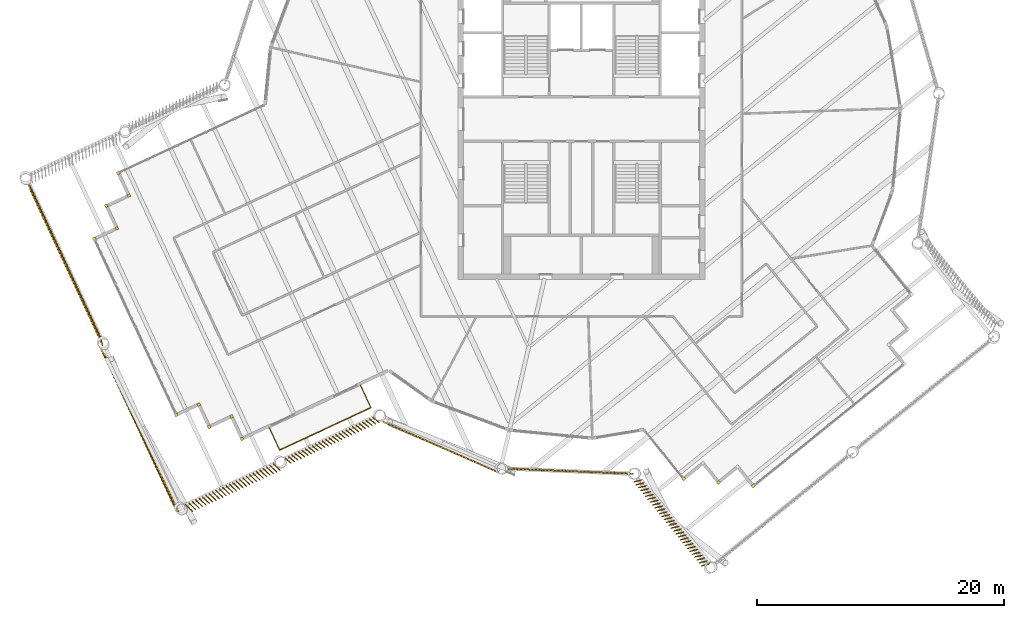
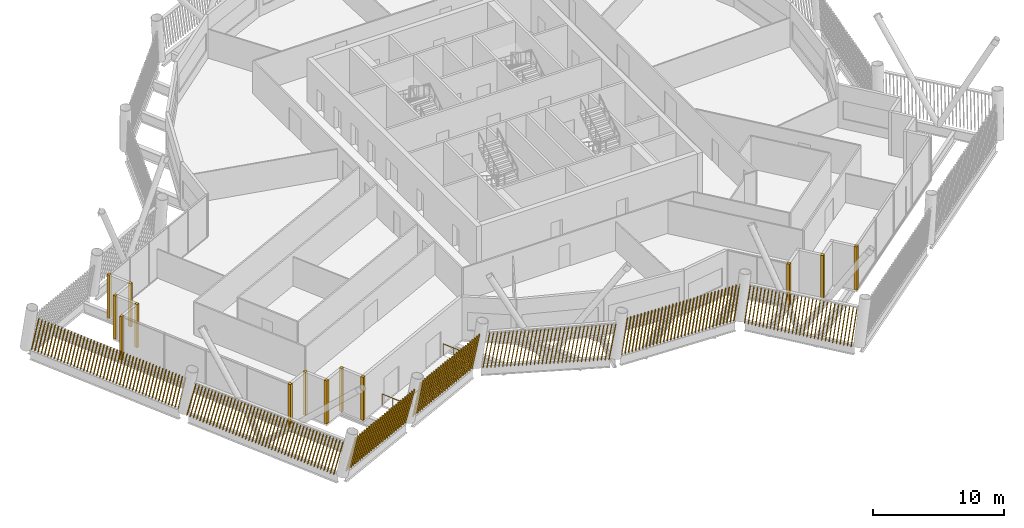
# One storey, part 32 of 36: 20 shading devices, 1 railing.
"""IFC4 building model written with IfcOpenShell, lengths in metres."""

from ifc_helpers import new_model, si_unit, direction, frame, frame_2d, origin, origin_2d, place, context, subcontext, project, spatial, rectangle, circle, composite_profile, extrude, material, type_object, element, save


model = new_model("IFC4")

# Units and contexts
model_context = context("Model", 3, precision=1e-05, world=origin(), true_north=direction((0.0, 1.0)))
body_context = subcontext(model_context, "Body", "Model", "MODEL_VIEW")
ifc_project = project(units=[si_unit("LENGTHUNIT", "METRE"), si_unit("AREAUNIT", "SQUARE_METRE"), si_unit("VOLUMEUNIT", "CUBIC_METRE"), si_unit("PLANEANGLEUNIT", "RADIAN"), si_unit("MASSUNIT", "GRAM", prefix="KILO")], contexts=[model_context])

# Site, building, storey
site_placement = place(None, origin())
site = spatial("IfcSite", under=ifc_project, at=site_placement, CompositionType="ELEMENT")
building_placement = place(site_placement, origin())
building = spatial("IfcBuilding", under=site, at=building_placement, Name="Tarsis Ring Headquarters", CompositionType="ELEMENT")
storey_placement = place(building_placement, frame((0.0, 0.0, 386.0)))
storey = spatial("IfcBuildingStorey", under=building, at=storey_placement, Name="L91", CompositionType="ELEMENT", Elevation=386.0)

# Railing
ifc_material_1 = material(Name="Stainless steel guard", Category="steel")
railing_type = type_object("IfcRailingType", Name="Balcony balustrade with mesh infill 1100", PredefinedType="BALUSTRADE", material=ifc_material_1)
railing_placement = place(storey_placement, frame((-25.307373046875, -25.015625, 0.0)))
element("IfcRailing", 1, at=railing_placement, inside=storey, type_object=railing_type, Name="Balcony balustrade L91-01", PredefinedType="BALUSTRADE", context=body_context, shape_type="SweptSolid", body=[
    extrude(circle(Radius=0.030029296875, at=origin_2d()), frame((0.0, 0.0, 1.070068359375), z_axis=(0.421989795, -0.906600580695, 0.0), x_axis=(0.906600580695, 0.421989795, 0.0)), (0.0, 0.0, 1.0), 2.0),
    extrude(circle(Radius=0.030029296875, at=origin_2d()), frame((0.843994140625, -1.813232421875, 1.070068359375), z_axis=(0.906600191345, 0.421990631475, 0.0), x_axis=(-0.421990631475, 0.906600191345, 0.0)), (0.0, 0.0, 1.0), 8.171875),
    extrude(circle(Radius=0.030029296875, at=origin_2d()), frame((8.252685546875, 1.63525390625, 1.070068359375), z_axis=(-0.422036499999, 0.906578839743, 0.0), x_axis=(-0.906578839743, -0.422036499999, 0.0)), (0.0, 0.0, 1.0), 1.999755859375),
    extrude(circle(Radius=0.02490234375, at=origin_2d()), origin(), (0.0, 0.0, 1.0), 1.0400390625),
    extrude(circle(Radius=0.02490234375, at=origin_2d()), frame((0.421875, -0.90673828125, 0.0)), (0.0, 0.0, 1.0), 1.0400390625),
    extrude(circle(Radius=0.02490234375, at=origin_2d()), frame((0.843994140625, -1.813232421875, 0.0)), (0.0, 0.0, 1.0), 1.0400390625),
    extrude(circle(Radius=0.02490234375, at=origin_2d()), frame((1.90234375, -1.320556640625, 0.0)), (0.0, 0.0, 1.0), 1.0400390625),
    extrude(circle(Radius=0.02490234375, at=origin_2d()), frame((2.960693359375, -0.827880859375, 0.0)), (0.0, 0.0, 1.0), 1.0400390625),
    extrude(circle(Radius=0.02490234375, at=origin_2d()), frame((4.01904296875, -0.335205078125, 0.0)), (0.0, 0.0, 1.0), 1.0400390625),
    extrude(circle(Radius=0.02490234375, at=origin_2d()), frame((5.07763671875, 0.1572265625, 0.0)), (0.0, 0.0, 1.0), 1.0400390625),
    extrude(circle(Radius=0.02490234375, at=origin_2d()), frame((6.135986328125, 0.64990234375, 0.0)), (0.0, 0.0, 1.0), 1.0400390625),
    extrude(circle(Radius=0.02490234375, at=origin_2d()), frame((7.1943359375, 1.142578125, 0.0)), (0.0, 0.0, 1.0), 1.0400390625),
    extrude(circle(Radius=0.02490234375, at=origin_2d()), frame((8.252685546875, 1.63525390625, 0.0)), (0.0, 0.0, 1.0), 1.0400390625),
    extrude(circle(Radius=0.02490234375, at=origin_2d()), frame((7.83056640625, 2.541748046875, 0.0)), (0.0, 0.0, 1.0), 1.0400390625),
    extrude(circle(Radius=0.02490234375, at=origin_2d()), frame((7.40869140625, 3.4482421875, 0.0)), (0.0, 0.0, 1.0), 1.0400390625),
])

# Shading devices
ifc_material_2 = material(Name="Terracotta baguette", Category="masonry")
shading_device_type_1 = type_object("IfcShadingDeviceType", Name="Terracotta baguette screen", PredefinedType="USERDEFINED", material=ifc_material_2)
shading_device_1_placement = place(storey_placement, frame((-6.0546875, -28.320068359375, 0.0), z_axis=(0.0, 0.0, 1.0), x_axis=(0.999150530918, -0.041074328545, 0.0)))
element("IfcShadingDevice", 2, at=shading_device_1_placement, inside=storey, type_object=shading_device_type_1, Name="Baguette screen L91-00", ObjectType="Terracotta baguette screen", PredefinedType="USERDEFINED", context=body_context, shape_type="SweptSolid", body=[
    extrude(composite_profile([rectangle(XDim=0.06005859375, YDim=0.1201171875, at=frame_2d((0.030029296875, 0.0))), rectangle(XDim=0.06005859375, YDim=0.1201171875, at=frame_2d((0.33349609375, 0.0))), rectangle(XDim=0.06005859375, YDim=0.1201171875, at=frame_2d((0.636962890625, 0.0))), rectangle(XDim=0.06005859375, YDim=0.1201171875, at=frame_2d((0.9404296875, 0.0))), rectangle(XDim=0.06005859375, YDim=0.1201171875, at=frame_2d((1.243896484375, 0.0))), rectangle(XDim=0.06005859375, YDim=0.1201171875, at=frame_2d((1.54736328125, 0.0))), rectangle(XDim=0.06005859375, YDim=0.1201171875, at=frame_2d((1.85107421875, 0.0))), rectangle(XDim=0.06005859375, YDim=0.1201171875, at=frame_2d((2.154541015625, 0.0))), rectangle(XDim=0.06005859375, YDim=0.1201171875, at=frame_2d((2.4580078125, 0.0))), rectangle(XDim=0.06005859375, YDim=0.1201171875, at=frame_2d((2.761474609375, 0.0))), rectangle(XDim=0.06005859375, YDim=0.1201171875, at=frame_2d((3.06494140625, 0.0))), rectangle(XDim=0.06005859375, YDim=0.1201171875, at=frame_2d((3.368408203125, 0.0))), rectangle(XDim=0.06005859375, YDim=0.1201171875, at=frame_2d((3.671875, 0.0))), rectangle(XDim=0.06005859375, YDim=0.1201171875, at=frame_2d((3.975341796875, 0.0))), rectangle(XDim=0.06005859375, YDim=0.1201171875, at=frame_2d((4.27880859375, 0.0))), rectangle(XDim=0.06005859375, YDim=0.1201171875, at=frame_2d((4.582275390625, 0.0))), rectangle(XDim=0.06005859375, YDim=0.1201171875, at=frame_2d((4.8857421875, 0.0))), rectangle(XDim=0.06005859375, YDim=0.1201171875, at=frame_2d((5.189453125, 0.0))), rectangle(XDim=0.06005859375, YDim=0.1201171875, at=frame_2d((5.492919921875, 0.0))), rectangle(XDim=0.06005859375, YDim=0.1201171875, at=frame_2d((5.79638671875, 0.0))), rectangle(XDim=0.06005859375, YDim=0.1201171875, at=frame_2d((6.099853515625, 0.0))), rectangle(XDim=0.06005859375, YDim=0.1201171875, at=frame_2d((6.4033203125, 0.0))), rectangle(XDim=0.06005859375, YDim=0.1201171875, at=frame_2d((6.706787109375, 0.0))), rectangle(XDim=0.06005859375, YDim=0.1201171875, at=frame_2d((7.01025390625, 0.0))), rectangle(XDim=0.06005859375, YDim=0.1201171875, at=frame_2d((7.313720703125, 0.0))), rectangle(XDim=0.06005859375, YDim=0.1201171875, at=frame_2d((7.6171875, 0.0))), rectangle(XDim=0.06005859375, YDim=0.1201171875, at=frame_2d((7.920654296875, 0.0))), rectangle(XDim=0.06005859375, YDim=0.1201171875, at=frame_2d((8.224365234375, 0.0))), rectangle(XDim=0.06005859375, YDim=0.1201171875, at=frame_2d((8.52783203125, 0.0))), rectangle(XDim=0.06005859375, YDim=0.1201171875, at=frame_2d((8.831298828125, 0.0))), rectangle(XDim=0.06005859375, YDim=0.1201171875, at=frame_2d((9.134765625, 0.0))), rectangle(XDim=0.06005859375, YDim=0.1201171875, at=frame_2d((9.438232421875, 0.0))), rectangle(XDim=0.06005859375, YDim=0.1201171875, at=frame_2d((9.74169921875, 0.0)))]), origin(), (0.155998287671, 0.001413268953, 0.987756314541), 3.3212890625),
])
shading_device_2_placement = place(storey_placement, frame((4.231201171875, -29.36669921875, 0.0), z_axis=(0.0, 0.0, 1.0), x_axis=(0.628788508998, -0.777583673017, 0.0)))
element("IfcShadingDevice", 3, at=shading_device_2_placement, inside=storey, type_object=shading_device_type_1, Name="Baguette screen L91-01", ObjectType="Terracotta baguette screen", PredefinedType="USERDEFINED", context=body_context, shape_type="SweptSolid", body=[
    extrude(composite_profile([rectangle(XDim=0.06005859375, YDim=0.1201171875, at=frame_2d((0.030029296875, 0.0))), rectangle(XDim=0.06005859375, YDim=0.1201171875, at=frame_2d((0.33154296875, 0.0))), rectangle(XDim=0.06005859375, YDim=0.1201171875, at=frame_2d((0.633056640625, 0.0))), rectangle(XDim=0.06005859375, YDim=0.1201171875, at=frame_2d((0.9345703125, 0.0))), rectangle(XDim=0.06005859375, YDim=0.1201171875, at=frame_2d((1.236083984375, 0.0))), rectangle(XDim=0.06005859375, YDim=0.1201171875, at=frame_2d((1.53759765625, 0.0))), rectangle(XDim=0.06005859375, YDim=0.1201171875, at=frame_2d((1.839111328125, 0.0))), rectangle(XDim=0.06005859375, YDim=0.1201171875, at=frame_2d((2.140625, 0.0))), rectangle(XDim=0.06005859375, YDim=0.1201171875, at=frame_2d((2.442138671875, 0.0))), rectangle(XDim=0.06005859375, YDim=0.1201171875, at=frame_2d((2.74365234375, 0.0))), rectangle(XDim=0.06005859375, YDim=0.1201171875, at=frame_2d((3.045166015625, 0.0))), rectangle(XDim=0.06005859375, YDim=0.1201171875, at=frame_2d((3.3466796875, 0.0))), rectangle(XDim=0.06005859375, YDim=0.1201171875, at=frame_2d((3.648193359375, 0.0))), rectangle(XDim=0.06005859375, YDim=0.1201171875, at=frame_2d((3.94970703125, 0.0))), rectangle(XDim=0.06005859375, YDim=0.1201171875, at=frame_2d((4.251220703125, 0.0))), rectangle(XDim=0.06005859375, YDim=0.1201171875, at=frame_2d((4.552978515625, 0.0))), rectangle(XDim=0.06005859375, YDim=0.1201171875, at=frame_2d((4.8544921875, 0.0))), rectangle(XDim=0.06005859375, YDim=0.1201171875, at=frame_2d((5.156005859375, 0.0))), rectangle(XDim=0.06005859375, YDim=0.1201171875, at=frame_2d((5.45751953125, 0.0))), rectangle(XDim=0.06005859375, YDim=0.1201171875, at=frame_2d((5.759033203125, 0.0))), rectangle(XDim=0.06005859375, YDim=0.1201171875, at=frame_2d((6.060546875, 0.0))), rectangle(XDim=0.06005859375, YDim=0.1201171875, at=frame_2d((6.362060546875, 0.0))), rectangle(XDim=0.06005859375, YDim=0.1201171875, at=frame_2d((6.66357421875, 0.0))), rectangle(XDim=0.06005859375, YDim=0.1201171875, at=frame_2d((6.965087890625, 0.0))), rectangle(XDim=0.06005859375, YDim=0.1201171875, at=frame_2d((7.2666015625, 0.0))), rectangle(XDim=0.06005859375, YDim=0.1201171875, at=frame_2d((7.568115234375, 0.0))), rectangle(XDim=0.06005859375, YDim=0.1201171875, at=frame_2d((7.86962890625, 0.0))), rectangle(XDim=0.06005859375, YDim=0.1201171875, at=frame_2d((8.171142578125, 0.0))), rectangle(XDim=0.06005859375, YDim=0.1201171875, at=frame_2d((8.47265625, 0.0))), rectangle(XDim=0.06005859375, YDim=0.1201171875, at=frame_2d((8.774169921875, 0.0)))]), origin(), (0.081077601382, 0.163392726451, 0.983223901), 3.33642578125),
])
shading_device_3_placement = place(storey_placement, frame((-44.8369140625, -5.0966796875, 0.0), z_axis=(0.0, 0.0, 1.0), x_axis=(0.421980043875, -0.906606043451, 0.0)))
element("IfcShadingDevice", 4, at=shading_device_3_placement, inside=storey, type_object=shading_device_type_1, Name="Baguette screen L91-15", ObjectType="Terracotta baguette screen", PredefinedType="USERDEFINED", context=body_context, shape_type="SweptSolid", body=[
    extrude(composite_profile([rectangle(XDim=0.06005859375, YDim=0.1201171875, at=frame_2d((0.030029296875, 0.0))), rectangle(XDim=0.06005859375, YDim=0.1201171875, at=frame_2d((0.33544921875, 0.0))), rectangle(XDim=0.06005859375, YDim=0.1201171875, at=frame_2d((0.640625, 0.0))), rectangle(XDim=0.06005859375, YDim=0.1201171875, at=frame_2d((0.946044921875, 0.0))), rectangle(XDim=0.06005859375, YDim=0.1201171875, at=frame_2d((1.25146484375, 0.0))), rectangle(XDim=0.06005859375, YDim=0.1201171875, at=frame_2d((1.556640625, 0.0))), rectangle(XDim=0.06005859375, YDim=0.1201171875, at=frame_2d((1.862060546875, 0.0))), rectangle(XDim=0.06005859375, YDim=0.1201171875, at=frame_2d((2.16748046875, 0.0))), rectangle(XDim=0.06005859375, YDim=0.1201171875, at=frame_2d((2.47265625, 0.0))), rectangle(XDim=0.06005859375, YDim=0.1201171875, at=frame_2d((2.778076171875, 0.0))), rectangle(XDim=0.06005859375, YDim=0.1201171875, at=frame_2d((3.08349609375, 0.0))), rectangle(XDim=0.06005859375, YDim=0.1201171875, at=frame_2d((3.388671875, 0.0))), rectangle(XDim=0.06005859375, YDim=0.1201171875, at=frame_2d((3.694091796875, 0.0))), rectangle(XDim=0.06005859375, YDim=0.1201171875, at=frame_2d((3.99951171875, 0.0))), rectangle(XDim=0.06005859375, YDim=0.1201171875, at=frame_2d((4.3046875, 0.0))), rectangle(XDim=0.06005859375, YDim=0.1201171875, at=frame_2d((4.610107421875, 0.0))), rectangle(XDim=0.06005859375, YDim=0.1201171875, at=frame_2d((4.91552734375, 0.0))), rectangle(XDim=0.06005859375, YDim=0.1201171875, at=frame_2d((5.220703125, 0.0))), rectangle(XDim=0.06005859375, YDim=0.1201171875, at=frame_2d((5.526123046875, 0.0))), rectangle(XDim=0.06005859375, YDim=0.1201171875, at=frame_2d((5.83154296875, 0.0))), rectangle(XDim=0.06005859375, YDim=0.1201171875, at=frame_2d((6.13671875, 0.0))), rectangle(XDim=0.06005859375, YDim=0.1201171875, at=frame_2d((6.442138671875, 0.0))), rectangle(XDim=0.06005859375, YDim=0.1201171875, at=frame_2d((6.74755859375, 0.0))), rectangle(XDim=0.06005859375, YDim=0.1201171875, at=frame_2d((7.052734375, 0.0))), rectangle(XDim=0.06005859375, YDim=0.1201171875, at=frame_2d((7.358154296875, 0.0))), rectangle(XDim=0.06005859375, YDim=0.1201171875, at=frame_2d((7.66357421875, 0.0))), rectangle(XDim=0.06005859375, YDim=0.1201171875, at=frame_2d((7.96875, 0.0))), rectangle(XDim=0.06005859375, YDim=0.1201171875, at=frame_2d((8.274169921875, 0.0))), rectangle(XDim=0.06005859375, YDim=0.1201171875, at=frame_2d((8.57958984375, 0.0))), rectangle(XDim=0.06005859375, YDim=0.1201171875, at=frame_2d((8.884765625, 0.0))), rectangle(XDim=0.06005859375, YDim=0.1201171875, at=frame_2d((9.190185546875, 0.0))), rectangle(XDim=0.06005859375, YDim=0.1201171875, at=frame_2d((9.49560546875, 0.0))), rectangle(XDim=0.06005859375, YDim=0.1201171875, at=frame_2d((9.80078125, 0.0))), rectangle(XDim=0.06005859375, YDim=0.1201171875, at=frame_2d((10.106201171875, 0.0))), rectangle(XDim=0.06005859375, YDim=0.1201171875, at=frame_2d((10.41162109375, 0.0))), rectangle(XDim=0.06005859375, YDim=0.1201171875, at=frame_2d((10.716796875, 0.0))), rectangle(XDim=0.06005859375, YDim=0.1201171875, at=frame_2d((11.022216796875, 0.0))), rectangle(XDim=0.06005859375, YDim=0.1201171875, at=frame_2d((11.32763671875, 0.0))), rectangle(XDim=0.06005859375, YDim=0.1201171875, at=frame_2d((11.6328125, 0.0))), rectangle(XDim=0.06005859375, YDim=0.1201171875, at=frame_2d((11.938232421875, 0.0))), rectangle(XDim=0.06005859375, YDim=0.1201171875, at=frame_2d((12.24365234375, 0.0))), rectangle(XDim=0.06005859375, YDim=0.1201171875, at=frame_2d((12.548828125, 0.0))), rectangle(XDim=0.06005859375, YDim=0.1201171875, at=frame_2d((12.854248046875, 0.0))), rectangle(XDim=0.06005859375, YDim=0.1201171875, at=frame_2d((13.15966796875, 0.0))), rectangle(XDim=0.06005859375, YDim=0.1201171875, at=frame_2d((13.46484375, 0.0))), rectangle(XDim=0.06005859375, YDim=0.1201171875, at=frame_2d((13.770263671875, 0.0)))]), origin(), (0.230609208338, -0.037718003373, 0.972315147085), 3.3740234375),
])
shading_device_4_placement = place(storey_placement, frame((-38.931640625, -18.672607421875, 0.0), z_axis=(0.0, 0.0, 1.0), x_axis=(0.421997735475, -0.906606043451, 0.0)))
element("IfcShadingDevice", 5, at=shading_device_4_placement, inside=storey, type_object=shading_device_type_1, Name="Baguette screen L91-16", ObjectType="Terracotta baguette screen", PredefinedType="USERDEFINED", context=body_context, shape_type="SweptSolid", body=[
    extrude(composite_profile([rectangle(XDim=0.06005859375, YDim=0.1201171875, at=frame_2d((0.030029296875, 0.0))), rectangle(XDim=0.06005859375, YDim=0.1201171875, at=frame_2d((0.33544921875, 0.0))), rectangle(XDim=0.06005859375, YDim=0.1201171875, at=frame_2d((0.640625, 0.0))), rectangle(XDim=0.06005859375, YDim=0.1201171875, at=frame_2d((0.946044921875, 0.0))), rectangle(XDim=0.06005859375, YDim=0.1201171875, at=frame_2d((1.25146484375, 0.0))), rectangle(XDim=0.06005859375, YDim=0.1201171875, at=frame_2d((1.556640625, 0.0))), rectangle(XDim=0.06005859375, YDim=0.1201171875, at=frame_2d((1.862060546875, 0.0))), rectangle(XDim=0.06005859375, YDim=0.1201171875, at=frame_2d((2.16748046875, 0.0))), rectangle(XDim=0.06005859375, YDim=0.1201171875, at=frame_2d((2.47265625, 0.0))), rectangle(XDim=0.06005859375, YDim=0.1201171875, at=frame_2d((2.778076171875, 0.0))), rectangle(XDim=0.06005859375, YDim=0.1201171875, at=frame_2d((3.08349609375, 0.0))), rectangle(XDim=0.06005859375, YDim=0.1201171875, at=frame_2d((3.388671875, 0.0))), rectangle(XDim=0.06005859375, YDim=0.1201171875, at=frame_2d((3.694091796875, 0.0))), rectangle(XDim=0.06005859375, YDim=0.1201171875, at=frame_2d((3.99951171875, 0.0))), rectangle(XDim=0.06005859375, YDim=0.1201171875, at=frame_2d((4.3046875, 0.0))), rectangle(XDim=0.06005859375, YDim=0.1201171875, at=frame_2d((4.610107421875, 0.0))), rectangle(XDim=0.06005859375, YDim=0.1201171875, at=frame_2d((4.91552734375, 0.0))), rectangle(XDim=0.06005859375, YDim=0.1201171875, at=frame_2d((5.220703125, 0.0))), rectangle(XDim=0.06005859375, YDim=0.1201171875, at=frame_2d((5.526123046875, 0.0))), rectangle(XDim=0.06005859375, YDim=0.1201171875, at=frame_2d((5.83154296875, 0.0))), rectangle(XDim=0.06005859375, YDim=0.1201171875, at=frame_2d((6.13671875, 0.0))), rectangle(XDim=0.06005859375, YDim=0.1201171875, at=frame_2d((6.442138671875, 0.0))), rectangle(XDim=0.06005859375, YDim=0.1201171875, at=frame_2d((6.74755859375, 0.0))), rectangle(XDim=0.06005859375, YDim=0.1201171875, at=frame_2d((7.052734375, 0.0))), rectangle(XDim=0.06005859375, YDim=0.1201171875, at=frame_2d((7.358154296875, 0.0))), rectangle(XDim=0.06005859375, YDim=0.1201171875, at=frame_2d((7.66357421875, 0.0))), rectangle(XDim=0.06005859375, YDim=0.1201171875, at=frame_2d((7.96875, 0.0))), rectangle(XDim=0.06005859375, YDim=0.1201171875, at=frame_2d((8.274169921875, 0.0))), rectangle(XDim=0.06005859375, YDim=0.1201171875, at=frame_2d((8.57958984375, 0.0))), rectangle(XDim=0.06005859375, YDim=0.1201171875, at=frame_2d((8.884765625, 0.0))), rectangle(XDim=0.06005859375, YDim=0.1201171875, at=frame_2d((9.190185546875, 0.0))), rectangle(XDim=0.06005859375, YDim=0.1201171875, at=frame_2d((9.49560546875, 0.0))), rectangle(XDim=0.06005859375, YDim=0.1201171875, at=frame_2d((9.80078125, 0.0))), rectangle(XDim=0.06005859375, YDim=0.1201171875, at=frame_2d((10.106201171875, 0.0))), rectangle(XDim=0.06005859375, YDim=0.1201171875, at=frame_2d((10.41162109375, 0.0))), rectangle(XDim=0.06005859375, YDim=0.1201171875, at=frame_2d((10.716796875, 0.0))), rectangle(XDim=0.06005859375, YDim=0.1201171875, at=frame_2d((11.022216796875, 0.0))), rectangle(XDim=0.06005859375, YDim=0.1201171875, at=frame_2d((11.32763671875, 0.0))), rectangle(XDim=0.06005859375, YDim=0.1201171875, at=frame_2d((11.6328125, 0.0))), rectangle(XDim=0.06005859375, YDim=0.1201171875, at=frame_2d((11.938232421875, 0.0))), rectangle(XDim=0.06005859375, YDim=0.1201171875, at=frame_2d((12.24365234375, 0.0))), rectangle(XDim=0.06005859375, YDim=0.1201171875, at=frame_2d((12.548828125, 0.0))), rectangle(XDim=0.06005859375, YDim=0.1201171875, at=frame_2d((12.854248046875, 0.0))), rectangle(XDim=0.06005859375, YDim=0.1201171875, at=frame_2d((13.15966796875, 0.0))), rectangle(XDim=0.06005859375, YDim=0.1201171875, at=frame_2d((13.46484375, 0.0))), rectangle(XDim=0.06005859375, YDim=0.1201171875, at=frame_2d((13.770263671875, 0.0)))]), origin(), (0.231797943129, 0.041895714679, 0.971861339211), 3.37548828125),
])
shading_device_5_placement = place(storey_placement, frame((-32.10400390625, -31.267822265625, 0.0), z_axis=(0.0, 0.0, 1.0), x_axis=(0.906605289174, 0.421990855166, 0.0)))
element("IfcShadingDevice", 6, at=shading_device_5_placement, inside=storey, type_object=shading_device_type_1, Name="Baguette screen L91-17", ObjectType="Terracotta baguette screen", PredefinedType="USERDEFINED", context=body_context, shape_type="SweptSolid", body=[
    extrude(composite_profile([rectangle(XDim=0.06005859375, YDim=0.1201171875, at=frame_2d((0.030029296875, 0.0))), rectangle(XDim=0.06005859375, YDim=0.1201171875, at=frame_2d((0.33154296875, 0.0))), rectangle(XDim=0.06005859375, YDim=0.1201171875, at=frame_2d((0.63330078125, 0.0))), rectangle(XDim=0.06005859375, YDim=0.1201171875, at=frame_2d((0.934814453125, 0.0))), rectangle(XDim=0.06005859375, YDim=0.1201171875, at=frame_2d((1.236572265625, 0.0))), rectangle(XDim=0.06005859375, YDim=0.1201171875, at=frame_2d((1.5380859375, 0.0))), rectangle(XDim=0.06005859375, YDim=0.1201171875, at=frame_2d((1.83984375, 0.0))), rectangle(XDim=0.06005859375, YDim=0.1201171875, at=frame_2d((2.141357421875, 0.0))), rectangle(XDim=0.06005859375, YDim=0.1201171875, at=frame_2d((2.443115234375, 0.0))), rectangle(XDim=0.06005859375, YDim=0.1201171875, at=frame_2d((2.74462890625, 0.0))), rectangle(XDim=0.06005859375, YDim=0.1201171875, at=frame_2d((3.04638671875, 0.0))), rectangle(XDim=0.06005859375, YDim=0.1201171875, at=frame_2d((3.347900390625, 0.0))), rectangle(XDim=0.06005859375, YDim=0.1201171875, at=frame_2d((3.649658203125, 0.0))), rectangle(XDim=0.06005859375, YDim=0.1201171875, at=frame_2d((3.951171875, 0.0))), rectangle(XDim=0.06005859375, YDim=0.1201171875, at=frame_2d((4.252685546875, 0.0))), rectangle(XDim=0.06005859375, YDim=0.1201171875, at=frame_2d((4.554443359375, 0.0))), rectangle(XDim=0.06005859375, YDim=0.1201171875, at=frame_2d((4.85595703125, 0.0))), rectangle(XDim=0.06005859375, YDim=0.1201171875, at=frame_2d((5.15771484375, 0.0))), rectangle(XDim=0.06005859375, YDim=0.1201171875, at=frame_2d((5.459228515625, 0.0))), rectangle(XDim=0.06005859375, YDim=0.1201171875, at=frame_2d((5.760986328125, 0.0))), rectangle(XDim=0.06005859375, YDim=0.1201171875, at=frame_2d((6.0625, 0.0))), rectangle(XDim=0.06005859375, YDim=0.1201171875, at=frame_2d((6.3642578125, 0.0))), rectangle(XDim=0.06005859375, YDim=0.1201171875, at=frame_2d((6.665771484375, 0.0))), rectangle(XDim=0.06005859375, YDim=0.1201171875, at=frame_2d((6.967529296875, 0.0))), rectangle(XDim=0.06005859375, YDim=0.1201171875, at=frame_2d((7.26904296875, 0.0))), rectangle(XDim=0.06005859375, YDim=0.1201171875, at=frame_2d((7.57080078125, 0.0))), rectangle(XDim=0.06005859375, YDim=0.1201171875, at=frame_2d((7.872314453125, 0.0)))]), origin(), (0.081723514061, -0.206169366248, 0.975097666734), 3.3642578125),
])
shading_device_6_placement = place(storey_placement, frame((-24.033203125, -27.510986328125, 0.0), z_axis=(0.0, 0.0, 1.0), x_axis=(0.906605289174, 0.421959960455, 0.0)))
element("IfcShadingDevice", 7, at=shading_device_6_placement, inside=storey, type_object=shading_device_type_1, Name="Baguette screen L91-18", ObjectType="Terracotta baguette screen", PredefinedType="USERDEFINED", context=body_context, shape_type="SweptSolid", body=[
    extrude(composite_profile([rectangle(XDim=0.06005859375, YDim=0.1201171875, at=frame_2d((0.030029296875, 0.0))), rectangle(XDim=0.06005859375, YDim=0.1201171875, at=frame_2d((0.33154296875, 0.0))), rectangle(XDim=0.06005859375, YDim=0.1201171875, at=frame_2d((0.63330078125, 0.0))), rectangle(XDim=0.06005859375, YDim=0.1201171875, at=frame_2d((0.934814453125, 0.0))), rectangle(XDim=0.06005859375, YDim=0.1201171875, at=frame_2d((1.236572265625, 0.0))), rectangle(XDim=0.06005859375, YDim=0.1201171875, at=frame_2d((1.5380859375, 0.0))), rectangle(XDim=0.06005859375, YDim=0.1201171875, at=frame_2d((1.83984375, 0.0))), rectangle(XDim=0.06005859375, YDim=0.1201171875, at=frame_2d((2.141357421875, 0.0))), rectangle(XDim=0.06005859375, YDim=0.1201171875, at=frame_2d((2.443115234375, 0.0))), rectangle(XDim=0.06005859375, YDim=0.1201171875, at=frame_2d((2.74462890625, 0.0))), rectangle(XDim=0.06005859375, YDim=0.1201171875, at=frame_2d((3.04638671875, 0.0))), rectangle(XDim=0.06005859375, YDim=0.1201171875, at=frame_2d((3.347900390625, 0.0))), rectangle(XDim=0.06005859375, YDim=0.1201171875, at=frame_2d((3.649658203125, 0.0))), rectangle(XDim=0.06005859375, YDim=0.1201171875, at=frame_2d((3.951171875, 0.0))), rectangle(XDim=0.06005859375, YDim=0.1201171875, at=frame_2d((4.252685546875, 0.0))), rectangle(XDim=0.06005859375, YDim=0.1201171875, at=frame_2d((4.554443359375, 0.0))), rectangle(XDim=0.06005859375, YDim=0.1201171875, at=frame_2d((4.85595703125, 0.0))), rectangle(XDim=0.06005859375, YDim=0.1201171875, at=frame_2d((5.15771484375, 0.0))), rectangle(XDim=0.06005859375, YDim=0.1201171875, at=frame_2d((5.459228515625, 0.0))), rectangle(XDim=0.06005859375, YDim=0.1201171875, at=frame_2d((5.760986328125, 0.0))), rectangle(XDim=0.06005859375, YDim=0.1201171875, at=frame_2d((6.0625, 0.0))), rectangle(XDim=0.06005859375, YDim=0.1201171875, at=frame_2d((6.3642578125, 0.0))), rectangle(XDim=0.06005859375, YDim=0.1201171875, at=frame_2d((6.665771484375, 0.0))), rectangle(XDim=0.06005859375, YDim=0.1201171875, at=frame_2d((6.967529296875, 0.0))), rectangle(XDim=0.06005859375, YDim=0.1201171875, at=frame_2d((7.26904296875, 0.0))), rectangle(XDim=0.06005859375, YDim=0.1201171875, at=frame_2d((7.57080078125, 0.0))), rectangle(XDim=0.06005859375, YDim=0.1201171875, at=frame_2d((7.872314453125, 0.0)))]), origin(), (0.082015065109, -0.159544771948, 0.983777919471), 3.334716796875),
])
shading_device_7_placement = place(storey_placement, frame((-16.108642578125, -24.510009765625, 0.0), z_axis=(0.0, 0.0, 1.0), x_axis=(0.915477826359, -0.402348532167, 0.0)))
element("IfcShadingDevice", 8, at=shading_device_7_placement, inside=storey, type_object=shading_device_type_1, Name="Baguette screen L91-19", ObjectType="Terracotta baguette screen", PredefinedType="USERDEFINED", context=body_context, shape_type="SweptSolid", body=[
    extrude(composite_profile([rectangle(XDim=0.06005859375, YDim=0.1201171875, at=frame_2d((0.030029296875, 0.0))), rectangle(XDim=0.06005859375, YDim=0.1201171875, at=frame_2d((0.33349609375, 0.0))), rectangle(XDim=0.06005859375, YDim=0.1201171875, at=frame_2d((0.636962890625, 0.0))), rectangle(XDim=0.06005859375, YDim=0.1201171875, at=frame_2d((0.9404296875, 0.0))), rectangle(XDim=0.06005859375, YDim=0.1201171875, at=frame_2d((1.243896484375, 0.0))), rectangle(XDim=0.06005859375, YDim=0.1201171875, at=frame_2d((1.54736328125, 0.0))), rectangle(XDim=0.06005859375, YDim=0.1201171875, at=frame_2d((1.85107421875, 0.0))), rectangle(XDim=0.06005859375, YDim=0.1201171875, at=frame_2d((2.154541015625, 0.0))), rectangle(XDim=0.06005859375, YDim=0.1201171875, at=frame_2d((2.4580078125, 0.0))), rectangle(XDim=0.06005859375, YDim=0.1201171875, at=frame_2d((2.761474609375, 0.0))), rectangle(XDim=0.06005859375, YDim=0.1201171875, at=frame_2d((3.06494140625, 0.0))), rectangle(XDim=0.06005859375, YDim=0.1201171875, at=frame_2d((3.368408203125, 0.0))), rectangle(XDim=0.06005859375, YDim=0.1201171875, at=frame_2d((3.671875, 0.0))), rectangle(XDim=0.06005859375, YDim=0.1201171875, at=frame_2d((3.975341796875, 0.0))), rectangle(XDim=0.06005859375, YDim=0.1201171875, at=frame_2d((4.27880859375, 0.0))), rectangle(XDim=0.06005859375, YDim=0.1201171875, at=frame_2d((4.582275390625, 0.0))), rectangle(XDim=0.06005859375, YDim=0.1201171875, at=frame_2d((4.8857421875, 0.0))), rectangle(XDim=0.06005859375, YDim=0.1201171875, at=frame_2d((5.189453125, 0.0))), rectangle(XDim=0.06005859375, YDim=0.1201171875, at=frame_2d((5.492919921875, 0.0))), rectangle(XDim=0.06005859375, YDim=0.1201171875, at=frame_2d((5.79638671875, 0.0))), rectangle(XDim=0.06005859375, YDim=0.1201171875, at=frame_2d((6.099853515625, 0.0))), rectangle(XDim=0.06005859375, YDim=0.1201171875, at=frame_2d((6.4033203125, 0.0))), rectangle(XDim=0.06005859375, YDim=0.1201171875, at=frame_2d((6.706787109375, 0.0))), rectangle(XDim=0.06005859375, YDim=0.1201171875, at=frame_2d((7.01025390625, 0.0))), rectangle(XDim=0.06005859375, YDim=0.1201171875, at=frame_2d((7.313720703125, 0.0))), rectangle(XDim=0.06005859375, YDim=0.1201171875, at=frame_2d((7.6171875, 0.0))), rectangle(XDim=0.06005859375, YDim=0.1201171875, at=frame_2d((7.920654296875, 0.0))), rectangle(XDim=0.06005859375, YDim=0.1201171875, at=frame_2d((8.224365234375, 0.0))), rectangle(XDim=0.06005859375, YDim=0.1201171875, at=frame_2d((8.52783203125, 0.0))), rectangle(XDim=0.06005859375, YDim=0.1201171875, at=frame_2d((8.831298828125, 0.0))), rectangle(XDim=0.06005859375, YDim=0.1201171875, at=frame_2d((9.134765625, 0.0))), rectangle(XDim=0.06005859375, YDim=0.1201171875, at=frame_2d((9.438232421875, 0.0))), rectangle(XDim=0.06005859375, YDim=0.1201171875, at=frame_2d((9.74169921875, 0.0)))]), origin(), (0.157996302112, 0.00143494781, 0.987438661104), 3.322265625),
])
shading_device_type_2 = type_object("IfcShadingDeviceType", Name="Terracotta corner baguette 250x250", PredefinedType="USERDEFINED", material=ifc_material_2)
for number, where, z_axis, x_axis, name in (
    (9, (-27.51318359375, -25.904541015625, 0.0), (0.0, 0.0, 1.0), (0.421985531545, -0.906602565167, 0.0), "Corner baguette L91-01"),
    (10, (8.29345703125, -29.141845703125, 0.0), (0.0, 0.0, 1.0), (0.628777714643, -0.777585098602, 0.0), "Corner baguette L91-07"),
    (11, (11.106201171875, -29.439453125, 0.0), (0.0, 0.0, 1.0), (0.628777687501, -0.77758512055, 0.0), "Corner baguette L91-09"),
    (12, (13.918701171875, -29.737060546875, 0.0), (0.0, 0.0, 1.0), (0.628777633215, -0.777585164447, 0.0), "Corner baguette L91-11"),
    (13, (-37.535400390625, -4.372802734375, 0.0), (0.0, 0.0, 1.0), (-0.906602609357, -0.421985436606, 0.0), "Corner baguette L91-32"),
    (14, (-36.69140625, -6.18603515625, 0.0), (0.0, 0.0, 1.0), (0.421984930263, -0.906602845038, 0.0), "Corner baguette L91-33"),
    (15, (-38.504638671875, -7.030029296875, 0.0), (0.0, 0.0, 1.0), (-0.906602476786, -0.421985721423, 0.0), "Corner baguette L91-34"),
    (16, (-37.66064453125, -8.84326171875, 0.0), (0.0, 0.0, 1.0), (0.421985531545, -0.906602565167, 0.0), "Corner baguette L91-35"),
    (17, (-39.473876953125, -9.687255859375, 0.0), (0.0, 0.0, 1.0), (-0.906602653547, -0.421985341667, 0.0), "Corner baguette L91-36"),
    (18, (-32.82763671875, -23.966064453125, 0.0), (0.0, 0.0, 1.0), (0.421985452429, -0.906602601992, 0.0), "Corner baguette L91-37"),
    (19, (-31.014404296875, -23.122314453125, 0.0), (0.0, 0.0, 1.0), (0.906602565167, 0.421985531545, 0.0), "Corner baguette L91-38"),
    (20, (-30.17041015625, -24.935302734375, 0.0), (0.0, 0.0, 1.0), (0.421985341667, -0.906602653547, 0.0), "Corner baguette L91-39"),
    (21, (-28.357177734375, -24.09130859375, 0.0), (0.0, 0.0, 1.0), (0.906602653547, 0.421985341667, 0.0), "Corner baguette L91-40"),
):
    element("IfcShadingDevice", number, at=place(storey_placement, frame(where, z_axis=z_axis, x_axis=x_axis)), inside=storey, type_object=shading_device_type_2, Name=name, ObjectType="Terracotta corner baguette", PredefinedType="USERDEFINED", context=body_context, shape_type="SweptSolid", body=[
        extrude(rectangle(XDim=0.25, YDim=0.25, at=origin_2d()), origin(), (0.0, 0.0, 1.0), 4.0400390625),
    ])

save(model, "model.ifc")
